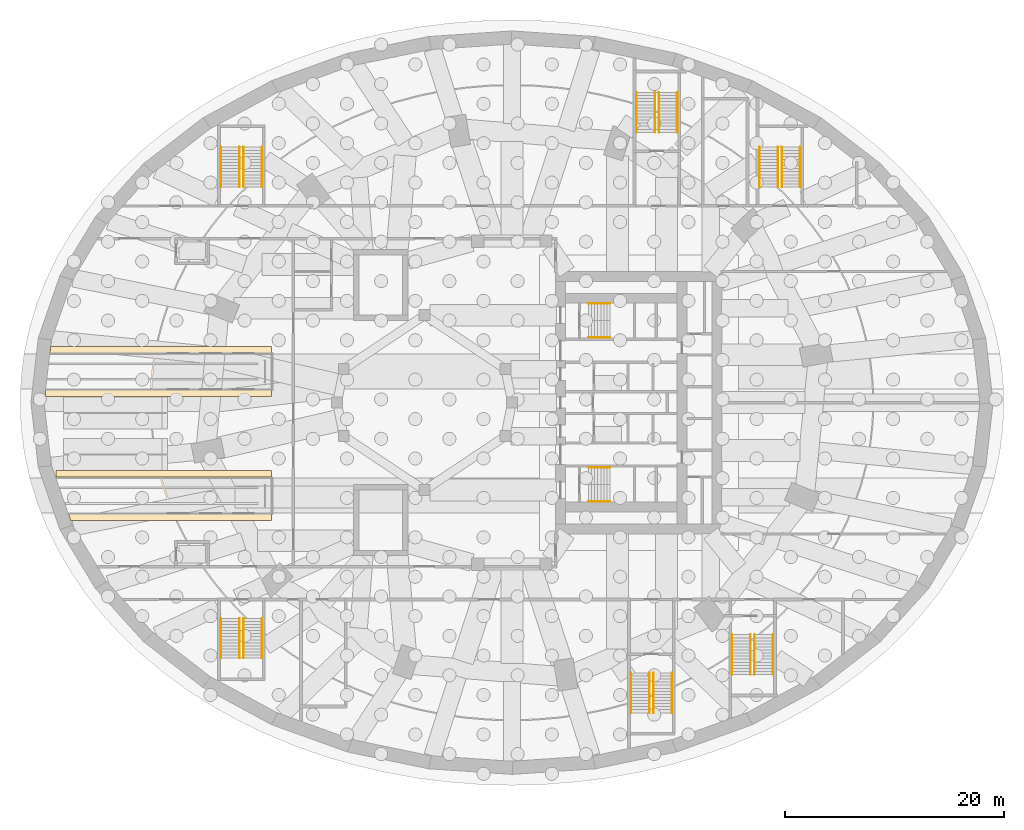
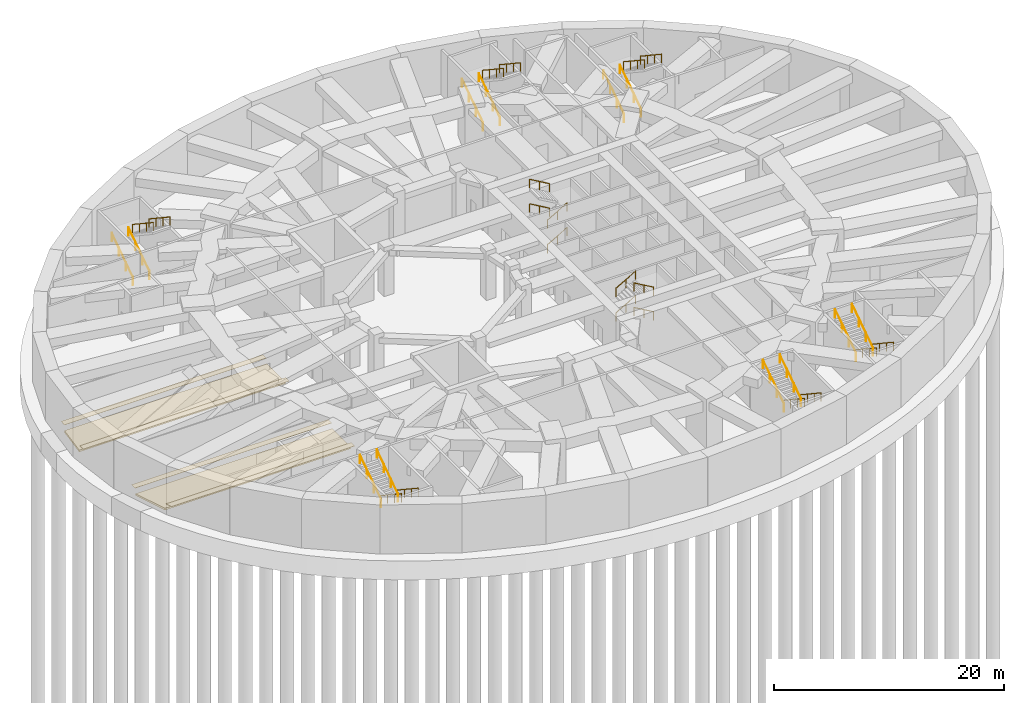
# One storey, part 17 of 18: 32 railings, 6 coverings.
"""IFC4 building model written with IfcOpenShell, lengths in metres."""

from ifc_helpers import new_model, si_unit, direction, frame, origin, origin_2d, place, context, subcontext, project, spatial, polyline, circle, outline, extrude, material, layer, layer_set, type_object, element, save


model = new_model("IFC4")

# Units and contexts
model_context = context("Model", 3, precision=1e-05, world=origin(), true_north=direction((0.0, 1.0)))
body_context = subcontext(model_context, "Body", "Model", "MODEL_VIEW")
ifc_project = project(units=[si_unit("LENGTHUNIT", "METRE"), si_unit("AREAUNIT", "SQUARE_METRE"), si_unit("VOLUMEUNIT", "CUBIC_METRE"), si_unit("PLANEANGLEUNIT", "RADIAN"), si_unit("MASSUNIT", "GRAM", prefix="KILO")], contexts=[model_context])

# Site, building, storey
site_placement = place(None, origin())
site = spatial("IfcSite", under=ifc_project, at=site_placement, CompositionType="ELEMENT")
building_placement = place(site_placement, origin())
building = spatial("IfcBuilding", under=site, at=building_placement, Name="Taillehof Tower", CompositionType="ELEMENT")
storey_placement = place(building_placement, frame((0.0, 0.0, -10.39990234375)))
storey = spatial("IfcBuildingStorey", under=building, at=storey_placement, Name="B2", CompositionType="ELEMENT", Elevation=-10.39990234375)

# Railings
ifc_material_1 = material(Name="Stainless steel tube", Category="steel")
railing_type_1 = type_object("IfcRailingType", Name="Handrail 900 mm", PredefinedType="HANDRAIL", material=ifc_material_1)
for number, where, name in (
    (1, (-26.614990234375, 19.72509765625, 0.185546875), "Handrail ES1"),
    (2, (-24.93505859375, 19.72509765625, 0.185546875), "Handrail ES1"),
):
    element("IfcRailing", number, at=place(storey_placement, frame(where)), inside=storey, type_object=railing_type_1, Name=name, PredefinedType="HANDRAIL", context=body_context, shape_type="SweptSolid", body=[
        extrude(circle(Radius=0.02392578125, at=origin_2d()), frame((0.0, 0.0, 0.8759765625), z_axis=(0.0, 0.833346510843, 0.552750932036), x_axis=(-1.0, 0.0, 0.0)), (0.0, 0.0, 1.0), 4.367919921875),
        extrude(circle(Radius=0.02099609375, at=origin_2d()), origin(), (0.0, 0.0, 1.0), 0.851806640625),
        extrude(circle(Radius=0.02099609375, at=origin_2d()), frame((0.0, 1.21337890625, 0.8046875)), (0.0, 0.0, 1.0), 0.851806640625),
        extrude(circle(Radius=0.02099609375, at=origin_2d()), frame((0.0, 2.426513671875, 1.609619140625)), (0.0, 0.0, 1.0), 0.851806640625),
        extrude(circle(Radius=0.02099609375, at=origin_2d()), frame((0.0, 3.639892578125, 2.414306640625)), (0.0, 0.0, 1.0), 0.851806640625),
    ])
for number, where, name in (
    (3, (-24.56494140625, 23.364990234375, 2.78564453125), "Handrail ES1"),
    (4, (-22.885009765625, 23.364990234375, 2.78564453125), "Handrail ES1"),
    (5, (-22.885009765625, -19.72509765625, 0.185546875), "Handrail ES2"),
    (6, (-24.56494140625, -19.72509765625, 0.185546875), "Handrail ES2"),
):
    element("IfcRailing", number, at=place(storey_placement, frame(where)), inside=storey, type_object=railing_type_1, Name=name, PredefinedType="HANDRAIL", context=body_context, shape_type="SweptSolid", body=[
        extrude(circle(Radius=0.02392578125, at=origin_2d()), frame((0.0, 0.0, 0.8759765625), z_axis=(0.0, -0.833346510843, 0.552750932036), x_axis=(1.0, 0.0, 0.0)), (0.0, 0.0, 1.0), 4.367919921875),
        extrude(circle(Radius=0.02099609375, at=origin_2d()), origin(), (0.0, 0.0, 1.0), 0.851806640625),
        extrude(circle(Radius=0.02099609375, at=origin_2d()), frame((0.0, -1.21337890625, 0.8046875)), (0.0, 0.0, 1.0), 0.851806640625),
        extrude(circle(Radius=0.02099609375, at=origin_2d()), frame((0.0, -2.426513671875, 1.609619140625)), (0.0, 0.0, 1.0), 0.851806640625),
        extrude(circle(Radius=0.02099609375, at=origin_2d()), frame((0.0, -3.639892578125, 2.414306640625)), (0.0, 0.0, 1.0), 0.851806640625),
    ])
for number, where, name in (
    (7, (-24.93505859375, -23.364990234375, 2.78564453125), "Handrail ES2"),
    (8, (-26.614990234375, -23.364990234375, 2.78564453125), "Handrail ES2"),
    (9, (11.385009765625, 24.72509765625, 0.185546875), "Handrail ES3"),
    (10, (13.06494140625, 24.72509765625, 0.185546875), "Handrail ES3"),
):
    element("IfcRailing", number, at=place(storey_placement, frame(where)), inside=storey, type_object=railing_type_1, Name=name, PredefinedType="HANDRAIL", context=body_context, shape_type="SweptSolid", body=[
        extrude(circle(Radius=0.02392578125, at=origin_2d()), frame((0.0, 0.0, 0.8759765625), z_axis=(0.0, 0.833346510843, 0.552750932036), x_axis=(-1.0, 0.0, 0.0)), (0.0, 0.0, 1.0), 4.367919921875),
        extrude(circle(Radius=0.02099609375, at=origin_2d()), origin(), (0.0, 0.0, 1.0), 0.851806640625),
        extrude(circle(Radius=0.02099609375, at=origin_2d()), frame((0.0, 1.21337890625, 0.8046875)), (0.0, 0.0, 1.0), 0.851806640625),
        extrude(circle(Radius=0.02099609375, at=origin_2d()), frame((0.0, 2.426513671875, 1.609619140625)), (0.0, 0.0, 1.0), 0.851806640625),
        extrude(circle(Radius=0.02099609375, at=origin_2d()), frame((0.0, 3.639892578125, 2.414306640625)), (0.0, 0.0, 1.0), 0.851806640625),
    ])
for number, where, name in (
    (11, (13.43505859375, 28.364990234375, 2.78564453125), "Handrail ES3"),
    (12, (15.114990234375, 28.364990234375, 2.78564453125), "Handrail ES3"),
    (13, (23.864990234375, -21.22509765625, 0.185546875), "Handrail ES4"),
    (14, (22.18505859375, -21.22509765625, 0.185546875), "Handrail ES4"),
):
    element("IfcRailing", number, at=place(storey_placement, frame(where)), inside=storey, type_object=railing_type_1, Name=name, PredefinedType="HANDRAIL", context=body_context, shape_type="SweptSolid", body=[
        extrude(circle(Radius=0.02392578125, at=origin_2d()), frame((0.0, 0.0, 0.8759765625), z_axis=(0.0, -0.833346510843, 0.552750932036), x_axis=(1.0, 0.0, 0.0)), (0.0, 0.0, 1.0), 4.367919921875),
        extrude(circle(Radius=0.02099609375, at=origin_2d()), origin(), (0.0, 0.0, 1.0), 0.851806640625),
        extrude(circle(Radius=0.02099609375, at=origin_2d()), frame((0.0, -1.21337890625, 0.8046875)), (0.0, 0.0, 1.0), 0.851806640625),
        extrude(circle(Radius=0.02099609375, at=origin_2d()), frame((0.0, -2.426513671875, 1.609619140625)), (0.0, 0.0, 1.0), 0.851806640625),
        extrude(circle(Radius=0.02099609375, at=origin_2d()), frame((0.0, -3.639892578125, 2.414306640625)), (0.0, 0.0, 1.0), 0.851806640625),
    ])
for number, where, name in (
    (15, (21.81494140625, -24.864990234375, 2.78564453125), "Handrail ES4"),
    (16, (20.135009765625, -24.864990234375, 2.78564453125), "Handrail ES4"),
    (17, (22.635009765625, 19.72509765625, 0.185546875), "Handrail ES5"),
    (18, (24.31494140625, 19.72509765625, 0.185546875), "Handrail ES5"),
):
    element("IfcRailing", number, at=place(storey_placement, frame(where)), inside=storey, type_object=railing_type_1, Name=name, PredefinedType="HANDRAIL", context=body_context, shape_type="SweptSolid", body=[
        extrude(circle(Radius=0.02392578125, at=origin_2d()), frame((0.0, 0.0, 0.8759765625), z_axis=(0.0, 0.833346510843, 0.552750932036), x_axis=(-1.0, 0.0, 0.0)), (0.0, 0.0, 1.0), 4.367919921875),
        extrude(circle(Radius=0.02099609375, at=origin_2d()), origin(), (0.0, 0.0, 1.0), 0.851806640625),
        extrude(circle(Radius=0.02099609375, at=origin_2d()), frame((0.0, 1.21337890625, 0.8046875)), (0.0, 0.0, 1.0), 0.851806640625),
        extrude(circle(Radius=0.02099609375, at=origin_2d()), frame((0.0, 2.426513671875, 1.609619140625)), (0.0, 0.0, 1.0), 0.851806640625),
        extrude(circle(Radius=0.02099609375, at=origin_2d()), frame((0.0, 3.639892578125, 2.414306640625)), (0.0, 0.0, 1.0), 0.851806640625),
    ])
for number, where, name in (
    (19, (24.68505859375, 23.364990234375, 2.78564453125), "Handrail ES5"),
    (20, (26.364990234375, 23.364990234375, 2.78564453125), "Handrail ES5"),
    (21, (14.614990234375, -24.72509765625, 0.185546875), "Handrail ES6"),
    (22, (12.93505859375, -24.72509765625, 0.185546875), "Handrail ES6"),
):
    element("IfcRailing", number, at=place(storey_placement, frame(where)), inside=storey, type_object=railing_type_1, Name=name, PredefinedType="HANDRAIL", context=body_context, shape_type="SweptSolid", body=[
        extrude(circle(Radius=0.02392578125, at=origin_2d()), frame((0.0, 0.0, 0.8759765625), z_axis=(0.0, -0.833346510843, 0.552750932036), x_axis=(1.0, 0.0, 0.0)), (0.0, 0.0, 1.0), 4.367919921875),
        extrude(circle(Radius=0.02099609375, at=origin_2d()), origin(), (0.0, 0.0, 1.0), 0.851806640625),
        extrude(circle(Radius=0.02099609375, at=origin_2d()), frame((0.0, -1.21337890625, 0.8046875)), (0.0, 0.0, 1.0), 0.851806640625),
        extrude(circle(Radius=0.02099609375, at=origin_2d()), frame((0.0, -2.426513671875, 1.609619140625)), (0.0, 0.0, 1.0), 0.851806640625),
        extrude(circle(Radius=0.02099609375, at=origin_2d()), frame((0.0, -3.639892578125, 2.414306640625)), (0.0, 0.0, 1.0), 0.851806640625),
    ])
for number, where, name in (
    (23, (12.56494140625, -28.364990234375, 2.78564453125), "Handrail ES6"),
    (24, (10.885009765625, -28.364990234375, 2.78564453125), "Handrail ES6"),
):
    element("IfcRailing", number, at=place(storey_placement, frame(where)), inside=storey, type_object=railing_type_1, Name=name, PredefinedType="HANDRAIL", context=body_context, shape_type="SweptSolid", body=[
        extrude(circle(Radius=0.02392578125, at=origin_2d()), frame((0.0, 0.0, 0.8759765625), z_axis=(0.0, 0.833346510843, 0.552750932036), x_axis=(-1.0, 0.0, 0.0)), (0.0, 0.0, 1.0), 4.367919921875),
        extrude(circle(Radius=0.02099609375, at=origin_2d()), origin(), (0.0, 0.0, 1.0), 0.851806640625),
        extrude(circle(Radius=0.02099609375, at=origin_2d()), frame((0.0, 1.21337890625, 0.8046875)), (0.0, 0.0, 1.0), 0.851806640625),
        extrude(circle(Radius=0.02099609375, at=origin_2d()), frame((0.0, 2.426513671875, 1.609619140625)), (0.0, 0.0, 1.0), 0.851806640625),
        extrude(circle(Radius=0.02099609375, at=origin_2d()), frame((0.0, 3.639892578125, 2.414306640625)), (0.0, 0.0, 1.0), 0.851806640625),
    ])

# Coverings
ifc_material_2 = material(Name="Tactile paving")
ifc_layer_1 = layer(ifc_material_2, 0.02001953125)
ifc_layer_set_1 = layer_set([ifc_layer_1], Name="Platform edge strip 20")
covering_type_1 = type_object("IfcCoveringType", Name="Platform edge strip 20", PredefinedType="FLOORING", material=ifc_layer_set_1)
covering_1_placement = place(storey_placement, origin())
element("IfcCovering", 25, at=covering_1_placement, inside=storey, type_object=covering_type_1, Name="North platform edge strip 1", PredefinedType="FLOORING", context=body_context, shape_type="SweptSolid", body=[
    extrude(outline(polyline([(-22.0, 1.14990234375), (-22.0, 0.550048828125), (-42.65087890625, 0.550048828125), (-42.65087890625, 1.072265625), (-42.64208984375, 1.14990234375), (-22.0, 1.14990234375)])), origin(), (0.0, 0.0, 1.0), 0.02001953125),
])
covering_2_placement = place(storey_placement, origin())
element("IfcCovering", 26, at=covering_2_placement, inside=storey, type_object=covering_type_1, Name="North platform edge strip 2", PredefinedType="FLOORING", context=body_context, shape_type="SweptSolid", body=[
    extrude(outline(polyline([(-22.0, 5.14990234375), (-22.0, 4.550048828125), (-42.257080078125, 4.550048828125), (-42.189208984375, 5.14990234375), (-22.0, 5.14990234375)])), origin(), (0.0, 0.0, 1.0), 0.02001953125),
])
covering_3_placement = place(storey_placement, origin())
element("IfcCovering", 27, at=covering_3_placement, inside=storey, type_object=covering_type_1, Name="South platform edge strip 1", PredefinedType="FLOORING", context=body_context, shape_type="SweptSolid", body=[
    extrude(outline(polyline([(-22.0, -10.199951171875), (-22.0, -10.800048828125), (-40.342529296875, -10.800048828125), (-40.550537109375, -10.199951171875), (-22.0, -10.199951171875)])), origin(), (0.0, 0.0, 1.0), 0.02001953125),
])
covering_4_placement = place(storey_placement, origin())
element("IfcCovering", 28, at=covering_4_placement, inside=storey, type_object=covering_type_1, Name="South platform edge strip 2", PredefinedType="FLOORING", context=body_context, shape_type="SweptSolid", body=[
    extrude(outline(polyline([(-41.716064453125, -6.800048828125), (-41.716064453125, -6.199951171875), (-22.0, -6.199951171875), (-22.0, -6.800048828125), (-41.716064453125, -6.800048828125)])), origin(), (0.0, 0.0, 1.0), 0.02001953125),
])

# Railings
ifc_material_3 = material(Name="Stainless steel", Category="steel")
railing_type_2 = type_object("IfcRailingType", Name="Stair handrail 900", PredefinedType="HANDRAIL", material=ifc_material_3)
railing_1_placement = place(storey_placement, frame((7.0, 5.949951171875, 0.162353515625)))
element("IfcRailing", 29, at=railing_1_placement, inside=storey, type_object=railing_type_2, Name="Stair S1 handrail", PredefinedType="HANDRAIL", context=body_context, shape_type="SweptSolid", body=[
    extrude(circle(Radius=0.02392578125, at=origin_2d()), frame((0.0, 0.0, 0.8759765625), z_axis=(0.864902109995, 0.0, 0.501940574298), x_axis=(0.0, 1.0, 0.0)), (0.0, 0.0, 1.0), 2.26611328125),
    extrude(circle(Radius=0.02099609375, at=origin_2d()), origin(), (0.0, 0.0, 1.0), 0.851806640625),
    extrude(circle(Radius=0.02099609375, at=origin_2d()), frame((0.97998046875, 0.0, 0.56884765625)), (0.0, 0.0, 1.0), 0.851806640625),
    extrude(circle(Radius=0.02099609375, at=origin_2d()), frame((1.9599609375, 0.0, 1.137451171875)), (0.0, 0.0, 1.0), 0.851806640625),
])
railing_2_placement = place(storey_placement, frame((8.9599609375, 9.050048828125, 1.46240234375)))
element("IfcRailing", 30, at=railing_2_placement, inside=storey, type_object=railing_type_2, Name="Stair S1 handrail", PredefinedType="HANDRAIL", context=body_context, shape_type="SweptSolid", body=[
    extrude(circle(Radius=0.02392578125, at=origin_2d()), frame((0.0, 0.0, 0.8759765625), z_axis=(-0.864902109995, 0.0, 0.501940574298), x_axis=(0.0, -1.0, 0.0)), (0.0, 0.0, 1.0), 2.26611328125),
    extrude(circle(Radius=0.02099609375, at=origin_2d()), origin(), (0.0, 0.0, 1.0), 0.851806640625),
    extrude(circle(Radius=0.02099609375, at=origin_2d()), frame((-0.97998046875, 0.0, 0.56884765625)), (0.0, 0.0, 1.0), 0.851806640625),
    extrude(circle(Radius=0.02099609375, at=origin_2d()), frame((-1.9599609375, 0.0, 1.137451171875)), (0.0, 0.0, 1.0), 0.851806640625),
])
railing_3_placement = place(storey_placement, frame((7.0, 5.949951171875, 2.762451171875)))
element("IfcRailing", 31, at=railing_3_placement, inside=storey, type_object=railing_type_2, Name="Stair S1 handrail", PredefinedType="HANDRAIL", context=body_context, shape_type="SweptSolid", body=[
    extrude(circle(Radius=0.02392578125, at=origin_2d()), frame((0.0, 0.0, 0.8759765625), z_axis=(0.864902109995, 0.0, 0.501940574298), x_axis=(0.0, 1.0, 0.0)), (0.0, 0.0, 1.0), 2.26611328125),
    extrude(circle(Radius=0.02099609375, at=origin_2d()), origin(), (0.0, 0.0, 1.0), 0.851806640625),
    extrude(circle(Radius=0.02099609375, at=origin_2d()), frame((0.97998046875, 0.0, 0.56884765625)), (0.0, 0.0, 1.0), 0.851806640625),
    extrude(circle(Radius=0.02099609375, at=origin_2d()), frame((1.9599609375, 0.0, 1.137451171875)), (0.0, 0.0, 1.0), 0.851806640625),
])
railing_4_placement = place(storey_placement, frame((8.9599609375, 9.050048828125, 4.0625)))
element("IfcRailing", 32, at=railing_4_placement, inside=storey, type_object=railing_type_2, Name="Stair S1 handrail", PredefinedType="HANDRAIL", context=body_context, shape_type="SweptSolid", body=[
    extrude(circle(Radius=0.02392578125, at=origin_2d()), frame((0.0, 0.0, 0.8759765625), z_axis=(-0.864902109995, 0.0, 0.501940574298), x_axis=(0.0, -1.0, 0.0)), (0.0, 0.0, 1.0), 2.26611328125),
    extrude(circle(Radius=0.02099609375, at=origin_2d()), origin(), (0.0, 0.0, 1.0), 0.851806640625),
    extrude(circle(Radius=0.02099609375, at=origin_2d()), frame((-0.97998046875, 0.0, 0.56884765625)), (0.0, 0.0, 1.0), 0.851806640625),
    extrude(circle(Radius=0.02099609375, at=origin_2d()), frame((-1.9599609375, 0.0, 1.137451171875)), (0.0, 0.0, 1.0), 0.851806640625),
])
railing_5_placement = place(storey_placement, frame((7.0, -5.949951171875, 0.162353515625)))
element("IfcRailing", 33, at=railing_5_placement, inside=storey, type_object=railing_type_2, Name="Stair S2 handrail", PredefinedType="HANDRAIL", context=body_context, shape_type="SweptSolid", body=[
    extrude(circle(Radius=0.02392578125, at=origin_2d()), frame((0.0, 0.0, 0.8759765625), z_axis=(0.864902109995, 0.0, 0.501940574298), x_axis=(0.0, 1.0, 0.0)), (0.0, 0.0, 1.0), 2.26611328125),
    extrude(circle(Radius=0.02099609375, at=origin_2d()), origin(), (0.0, 0.0, 1.0), 0.851806640625),
    extrude(circle(Radius=0.02099609375, at=origin_2d()), frame((0.97998046875, 0.0, 0.56884765625)), (0.0, 0.0, 1.0), 0.851806640625),
    extrude(circle(Radius=0.02099609375, at=origin_2d()), frame((1.9599609375, 0.0, 1.137451171875)), (0.0, 0.0, 1.0), 0.851806640625),
])
railing_6_placement = place(storey_placement, frame((8.9599609375, -9.050048828125, 1.46240234375)))
element("IfcRailing", 34, at=railing_6_placement, inside=storey, type_object=railing_type_2, Name="Stair S2 handrail", PredefinedType="HANDRAIL", context=body_context, shape_type="SweptSolid", body=[
    extrude(circle(Radius=0.02392578125, at=origin_2d()), frame((0.0, 0.0, 0.8759765625), z_axis=(-0.864902109995, 0.0, 0.501940574298), x_axis=(0.0, -1.0, 0.0)), (0.0, 0.0, 1.0), 2.26611328125),
    extrude(circle(Radius=0.02099609375, at=origin_2d()), origin(), (0.0, 0.0, 1.0), 0.851806640625),
    extrude(circle(Radius=0.02099609375, at=origin_2d()), frame((-0.97998046875, 0.0, 0.56884765625)), (0.0, 0.0, 1.0), 0.851806640625),
    extrude(circle(Radius=0.02099609375, at=origin_2d()), frame((-1.9599609375, 0.0, 1.137451171875)), (0.0, 0.0, 1.0), 0.851806640625),
])
railing_7_placement = place(storey_placement, frame((7.0, -5.949951171875, 2.762451171875)))
element("IfcRailing", 35, at=railing_7_placement, inside=storey, type_object=railing_type_2, Name="Stair S2 handrail", PredefinedType="HANDRAIL", context=body_context, shape_type="SweptSolid", body=[
    extrude(circle(Radius=0.02392578125, at=origin_2d()), frame((0.0, 0.0, 0.8759765625), z_axis=(0.864902109995, 0.0, 0.501940574298), x_axis=(0.0, 1.0, 0.0)), (0.0, 0.0, 1.0), 2.26611328125),
    extrude(circle(Radius=0.02099609375, at=origin_2d()), origin(), (0.0, 0.0, 1.0), 0.851806640625),
    extrude(circle(Radius=0.02099609375, at=origin_2d()), frame((0.97998046875, 0.0, 0.56884765625)), (0.0, 0.0, 1.0), 0.851806640625),
    extrude(circle(Radius=0.02099609375, at=origin_2d()), frame((1.9599609375, 0.0, 1.137451171875)), (0.0, 0.0, 1.0), 0.851806640625),
])
railing_8_placement = place(storey_placement, frame((8.9599609375, -9.050048828125, 4.0625)))
element("IfcRailing", 36, at=railing_8_placement, inside=storey, type_object=railing_type_2, Name="Stair S2 handrail", PredefinedType="HANDRAIL", context=body_context, shape_type="SweptSolid", body=[
    extrude(circle(Radius=0.02392578125, at=origin_2d()), frame((0.0, 0.0, 0.8759765625), z_axis=(-0.864902109995, 0.0, 0.501940574298), x_axis=(0.0, -1.0, 0.0)), (0.0, 0.0, 1.0), 2.26611328125),
    extrude(circle(Radius=0.02099609375, at=origin_2d()), origin(), (0.0, 0.0, 1.0), 0.851806640625),
    extrude(circle(Radius=0.02099609375, at=origin_2d()), frame((-0.97998046875, 0.0, 0.56884765625)), (0.0, 0.0, 1.0), 0.851806640625),
    extrude(circle(Radius=0.02099609375, at=origin_2d()), frame((-1.9599609375, 0.0, 1.137451171875)), (0.0, 0.0, 1.0), 0.851806640625),
])

# Coverings
ifc_material_4 = material(Name="Concrete track bed", Category="concrete")
ifc_layer_2 = layer(ifc_material_4, 0.199951171875)
ifc_layer_set_2 = layer_set([ifc_layer_2], Name="Track bed 200")
covering_type_2 = type_object("IfcCoveringType", Name="Track bed 200", PredefinedType="FLOORING", material=ifc_layer_set_2)
covering_5_placement = place(storey_placement, frame((0.0, 0.0, -0.7021484375)))
element("IfcCovering", 37, at=covering_5_placement, inside=storey, type_object=covering_type_2, Name="North track bed", PredefinedType="FLOORING", context=body_context, shape_type="SweptSolid", body=[
    extrude(outline(polyline([(-22.0, 4.449951171875), (-22.0, 1.25), (-42.65087890625, 1.25), (-42.28857421875, 4.449951171875), (-22.0, 4.449951171875)])), origin(), (0.0, 0.0, 1.0), 0.199951171875),
])
covering_6_placement = place(storey_placement, frame((0.0, 0.0, -0.7021484375)))
element("IfcCovering", 38, at=covering_6_placement, inside=storey, type_object=covering_type_2, Name="South track bed", PredefinedType="FLOORING", context=body_context, shape_type="SweptSolid", body=[
    extrude(outline(polyline([(-22.0, -6.89990234375), (-22.0, -10.10009765625), (-40.6064453125, -10.10009765625), (-41.716064453125, -6.89990234375), (-22.0, -6.89990234375)])), origin(), (0.0, 0.0, 1.0), 0.199951171875),
])

save(model, "model.ifc")
